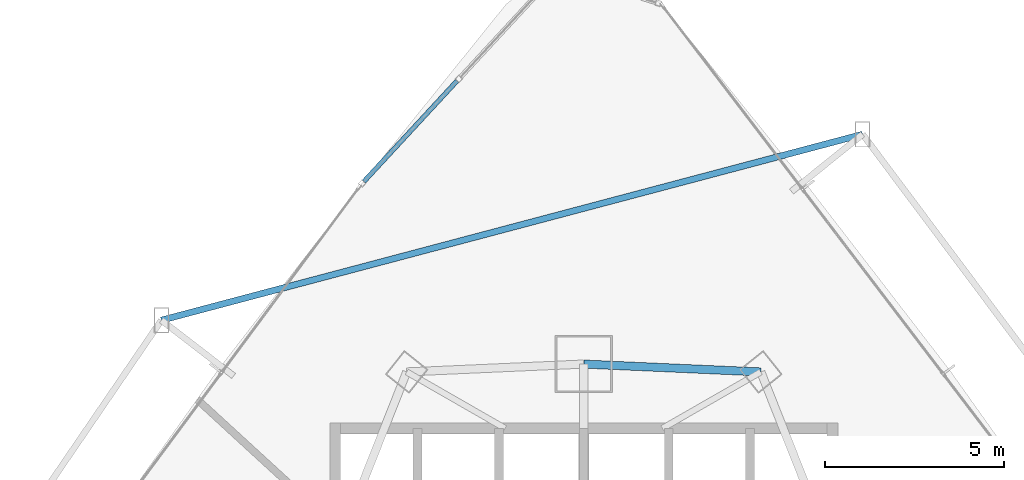
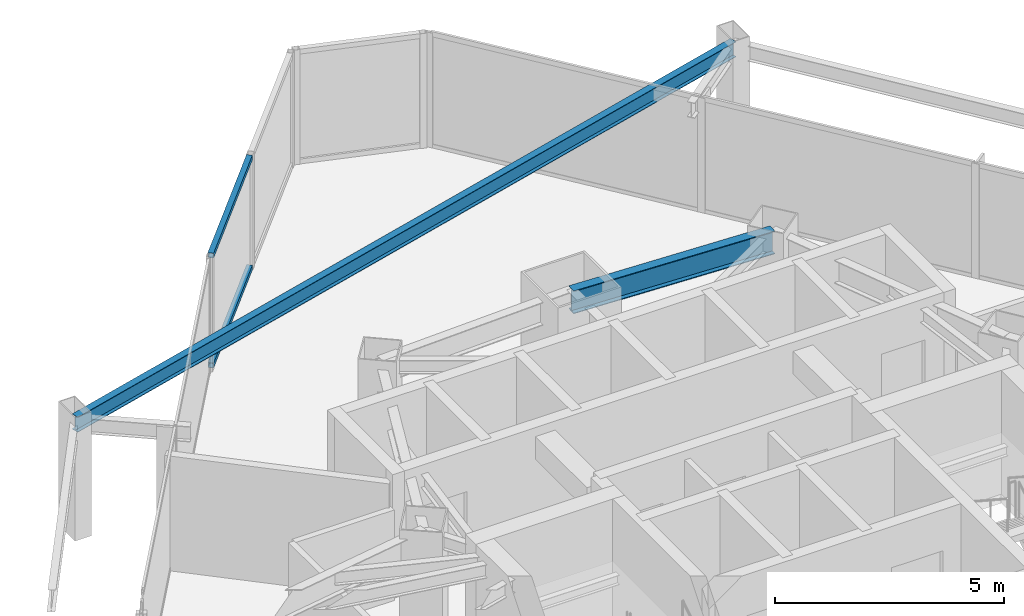
# One storey, part 24 of 35: 2 beams, 2 members, 1 element without a shape of its own.
"""IFC4 building model written with IfcOpenShell, lengths in metres."""

import ifcopenshell
import ifcopenshell.guid

model = None  # the IFC model being written
_history = None  # IfcOwnerHistory: only IFC2X3 demands one
_inside = {}  # id of a spatial element -> (the spatial element, [elements in it])
_under = {}  # id of a project, library or spatial element -> (it, [spatial elements below it])
_declared = {}  # id of a project -> (the project, [libraries it declares])
_typed = {}  # id of a type object -> (the type object, [elements of that type])
_made_of = {}  # id of a material, layer set ... -> (it, [elements and type objects made of it])


def new_model(schema):
    """Start an empty IFC model of exactly this schema.

    Asked for "IFC4X3", IfcOpenShell would pick the latest addendum, in which some entities
    have other attributes; the version numbers below select the first issue.
    IFC2X3 requires an IfcOwnerHistory on every rooted entity: one is made here for all.
    """
    global model, _history
    if schema == "IFC4X3":
        model = ifcopenshell.file(schema_version=(4, 3, 0, 0))
    else:
        model = ifcopenshell.file(schema=schema)
    _inside.clear()
    _under.clear()
    _declared.clear()
    _typed.clear()
    _made_of.clear()
    _history = None
    if model.schema == "IFC2X3":
        org = make("IfcOrganization", Name="unknown")
        user = make(
            "IfcPersonAndOrganization",
            ThePerson=make("IfcPerson", FamilyName="unknown"),
            TheOrganization=org,
        )
        app = make(
            "IfcApplication",
            ApplicationDeveloper=org,
            Version="unknown",
            ApplicationFullName="unknown",
            ApplicationIdentifier="unknown",
        )
        _history = make(
            "IfcOwnerHistory",
            OwningUser=user,
            OwningApplication=app,
            ChangeAction="ADDED",
            CreationDate=0,
        )
    return model


def make(cls, **values):
    """One entity of the class cls with the attributes given. An attribute that is None is left unset."""
    return model.create_entity(
        cls, **{name: value for name, value in values.items() if value is not None}
    )


def rooted(cls, **values):
    """An entity with a GlobalId (a new one), such as an element, a storey or a relation."""
    return make(cls, GlobalId=ifcopenshell.guid.new(), OwnerHistory=_history, **values)


def si_unit(unit_type, name, prefix=None):
    """IfcSIUnit, for example si_unit("LENGTHUNIT", "METRE", prefix="MILLI")."""
    return make("IfcSIUnit", UnitType=unit_type, Prefix=prefix, Name=name)


def assignment(units):
    """IfcUnitAssignment: the units of a project."""
    return None if units is None else make("IfcUnitAssignment", Units=units)


def point(xyz):
    """IfcCartesianPoint."""
    return None if xyz is None else make("IfcCartesianPoint", Coordinates=xyz)


def direction(xyz):
    """IfcDirection."""
    return None if xyz is None else make("IfcDirection", DirectionRatios=xyz)


def frame(location, z_axis=None, x_axis=None):
    """IfcAxis2Placement3D, a coordinate frame: its origin and axes. An axis left out is left unset."""
    return make(
        "IfcAxis2Placement3D",
        Location=point(location),
        Axis=direction(z_axis),
        RefDirection=direction(x_axis),
    )


def frame_2d(location, x_axis=None):
    """IfcAxis2Placement2D, a coordinate frame in the plane: its origin and x axis."""
    return make(
        "IfcAxis2Placement2D", Location=point(location), RefDirection=direction(x_axis)
    )


def origin():
    """The frame at (0, 0, 0) with its axes left unset."""
    return frame((0.0, 0.0, 0.0))


def origin_2d():
    """The frame at (0, 0) in the plane with its x axis left unset."""
    return frame_2d((0.0, 0.0))


def place(relative_to, where):
    """IfcLocalPlacement: puts the frame where relative to a parent placement (None: the world)."""
    return make(
        "IfcLocalPlacement", PlacementRelTo=relative_to, RelativePlacement=where
    )


def context(
    kind, dimensions, precision=None, world=None, true_north=None, identifier=None
):
    """IfcGeometricRepresentationContext, for example the 3D "Model" context."""
    return make(
        "IfcGeometricRepresentationContext",
        ContextIdentifier=identifier,
        ContextType=kind,
        CoordinateSpaceDimension=dimensions,
        Precision=precision,
        WorldCoordinateSystem=world,
        TrueNorth=true_north,
    )


def subcontext(parent, identifier, kind, view, scale=None):
    """IfcGeometricRepresentationSubContext, for example "Body" below "Model"."""
    return make(
        "IfcGeometricRepresentationSubContext",
        ContextIdentifier=identifier,
        ContextType=kind,
        ParentContext=parent,
        TargetScale=scale,
        TargetView=view,
    )


def project(units=None, contexts=None):
    """IfcProject with its units and contexts."""
    return rooted(
        "IfcProject",
        Name="project",
        RepresentationContexts=contexts,
        UnitsInContext=assignment(units),
    )


def spatial(cls, under=None, at=None, **own):
    """A site, building, storey or space (cls), placed at a placement, below another one or the project."""
    s = rooted(cls, ObjectPlacement=at, **own)
    if under is not None:
        _under.setdefault(under.id(), (under, []))[1].append(s)
    return s


def profile(cls, at=None, kind="AREA", **sizes):
    """A parametric profile (cls). Its sizes go by their IFC names, for example OverallWidth=200.0."""
    return make(cls, ProfileType=kind, Position=at, **sizes)


def hollow_rectangle(**sizes):
    """IfcRectangleHollowProfileDef."""
    return profile("IfcRectangleHollowProfileDef", **sizes)


def i_section(**sizes):
    """IfcIShapeProfileDef."""
    return profile("IfcIShapeProfileDef", **sizes)


def extrude(swept, where, along, depth):
    """IfcExtrudedAreaSolid: the profile swept, set in the frame where, extruded along a direction by depth."""
    return make(
        "IfcExtrudedAreaSolid",
        SweptArea=swept,
        Position=where,
        ExtrudedDirection=direction(along),
        Depth=depth,
    )


def shape(context_of_items, identifier, shape_type, items):
    """IfcShapeRepresentation: the items that make up one representation, for example the "Body"."""
    return make(
        "IfcShapeRepresentation",
        ContextOfItems=context_of_items,
        RepresentationIdentifier=identifier,
        RepresentationType=shape_type,
        Items=items,
    )


def material(Name=None, Category=None):
    """IfcMaterial."""
    return make("IfcMaterial", Name=Name, Category=Category)


def layer(
    of_material, thickness, ventilated=None, Name=None, Category=None, Priority=None
):
    """IfcMaterialLayer: one layer of a wall or slab, of a material (None: an air gap)."""
    return make(
        "IfcMaterialLayer",
        Material=of_material,
        LayerThickness=thickness,
        IsVentilated=ventilated,
        Name=Name,
        Category=Category,
        Priority=Priority,
    )


def layer_set(layers, Name=None):
    """IfcMaterialLayerSet."""
    return make("IfcMaterialLayerSet", MaterialLayers=layers, LayerSetName=Name)


def material_profile(
    of_material, cross_section, Name=None, Category=None, Priority=None
):
    """IfcMaterialProfile: a cross section and its material."""
    return make(
        "IfcMaterialProfile",
        Name=Name,
        Material=of_material,
        Profile=cross_section,
        Priority=Priority,
        Category=Category,
    )


def profile_set(profiles, Name=None, composite=None):
    """IfcMaterialProfileSet."""
    return make(
        "IfcMaterialProfileSet",
        Name=Name,
        MaterialProfiles=profiles,
        CompositeProfile=composite,
    )


def made_of(thing, what):
    """Note that an element or type object is made of a material, layer set ...; save() writes the relation."""
    if what is not None:
        _made_of.setdefault(what.id(), (what, []))[1].append(thing)
    return thing


def type_object(cls, material=None, **own):
    """A type object (cls), such as IfcWallType, which elements share."""
    return made_of(rooted(cls, **own), material)


def element(
    cls,
    number,
    at=None,
    inside=None,
    cuts=None,
    type_object=None,
    material=None,
    context=None,
    identifier="Body",
    shape_type=None,
    held_by="IfcProductDefinitionShape",
    body=None,
    shapes=None,
    **own,
):
    """One element of the class cls, such as IfcWall. Its Tag is "e" and its number.

    at: its placement. inside: the storey or other place that contains it. cuts: it is an
    opening in that element (IfcRelVoidsElement). A single representation is given by context,
    identifier, shape_type and body (its items); several are given by shapes. held_by: the class
    of the entity that holds the representations. save() writes the other relations.
    """
    e = rooted(cls, Tag="e%d" % number, ObjectPlacement=at, **own)
    if body is not None:
        shapes = [shape(context, identifier, shape_type, body)]
    if shapes is not None:
        e.Representation = make(held_by, Representations=shapes)
    if inside is not None:
        _inside.setdefault(inside.id(), (inside, []))[1].append(e)
    if cuts is not None:
        rooted(
            "IfcRelVoidsElement", RelatingBuildingElement=cuts, RelatedOpeningElement=e
        )
    if type_object is not None:
        _typed.setdefault(type_object.id(), (type_object, []))[1].append(e)
    return made_of(e, material)


def aggregate(whole, parts):
    """IfcRelAggregates: a whole, such as a stair, and the parts it consists of."""
    return rooted("IfcRelAggregates", RelatingObject=whole, RelatedObjects=parts)


def save(model, path):
    """Write the relations noted so far, then the file.

    IfcRelAggregates (storeys below a building ...), IfcRelContainedInSpatialStructure (elements
    in a storey), IfcRelDefinesByType, IfcRelAssociatesMaterial and IfcRelDeclares: one each for
    every whole, place, type object, material and project.
    """
    for whole, parts in _under.values():
        aggregate(whole, parts)
    for where, things in _inside.values():
        rooted(
            "IfcRelContainedInSpatialStructure",
            RelatedElements=things,
            RelatingStructure=where,
        )
    for kind, things in _typed.values():
        rooted("IfcRelDefinesByType", RelatedObjects=things, RelatingType=kind)
    for what, things in _made_of.values():
        rooted("IfcRelAssociatesMaterial", RelatedObjects=things, RelatingMaterial=what)
    for by, libraries in _declared.values():
        rooted("IfcRelDeclares", RelatingContext=by, RelatedDefinitions=libraries)
    model.write(path)


model = new_model("IFC4")

# Units and contexts
model_context = context("Model", 3, precision=1e-05, world=origin(), true_north=direction((0.0, 1.0)))
body_context = subcontext(model_context, "Body", "Model", "MODEL_VIEW")
ifc_project = project(units=[si_unit("LENGTHUNIT", "METRE"), si_unit("AREAUNIT", "SQUARE_METRE"), si_unit("VOLUMEUNIT", "CUBIC_METRE"), si_unit("PLANEANGLEUNIT", "RADIAN"), si_unit("MASSUNIT", "GRAM", prefix="KILO")], contexts=[model_context])

# Site, building, storey
site_placement = place(None, origin())
site = spatial("IfcSite", under=ifc_project, at=site_placement, CompositionType="ELEMENT")
building_placement = place(site_placement, origin())
building = spatial("IfcBuilding", under=site, at=building_placement, Name="Orvanel Arch Residences", CompositionType="ELEMENT")
storey_placement = place(building_placement, frame((0.0, 0.0, 36.800048828125)))
storey = spatial("IfcBuildingStorey", under=building, at=storey_placement, Name="L09", CompositionType="ELEMENT", Elevation=36.800048828125)

# Beams
ifc_material_1 = material(Name="Structural steel AS/NZS 3679.1 Grade 300 (300 MPa)", Category="steel")
ifc_material_profile_1 = material_profile(ifc_material_1, i_section(OverallWidth=0.177978515625, OverallDepth=0.406005859375, WebThickness=0.0078125, FlangeThickness=0.0126953125, at=origin_2d()), Name="410UB59.7")
ifc_profile_set_1 = profile_set([ifc_material_profile_1], Name="Structural steel AS/NZS 3679.1 Grade 300 (300 MPa)")
beam_type_1 = type_object("IfcBeamType", Name="OB-410UB-EXT", PredefinedType="SPANDREL", material=ifc_profile_set_1)
beam_1_placement = place(storey_placement, frame((40.794921875, 47.820068359375, 2.85693359375), z_axis=(-0.966603807913, -0.25627539587, 0.0), x_axis=(0.25627539587, -0.966603807913, 0.0)))
element("IfcBeam", 1, at=beam_1_placement, inside=storey, type_object=beam_type_1, Name="L09 Outer Perimeter Floor Ring Beam 12", PredefinedType="SPANDREL", context=body_context, shape_type="SweptSolid", body=[
    extrude(i_section(OverallWidth=0.177978515625, OverallDepth=0.406005859375, WebThickness=0.0078125, FlangeThickness=0.0126953125, at=origin_2d()), origin(), (0.0, 0.0, 1.0), 20.279052734375),
])
ifc_material_profile_2 = material_profile(ifc_material_1, i_section(OverallWidth=0.22900390625, OverallDepth=0.612060546875, WebThickness=0.011962890625, FlangeThickness=0.01953125, at=origin_2d()), Name="610UB125")
ifc_profile_set_2 = profile_set([ifc_material_profile_2], Name="Structural steel AS/NZS 3679.1 Grade 300 (300 MPa)")
beam_type_2 = type_object("IfcBeamType", Name="SP-610UB", PredefinedType="SPANDREL", material=ifc_profile_set_2)
beam_2_placement = place(storey_placement, frame((37.949951171875, 41.177978515625, 2.75390625), z_axis=(-0.999014049296, 0.044395149614, 0.0), x_axis=(-0.044395149614, -0.999014049296, 0.0)))
element("IfcBeam", 2, at=beam_2_placement, inside=storey, type_object=beam_type_2, Name="L09 Perimeter Spandrel Beam 16", PredefinedType="SPANDREL", context=body_context, shape_type="SweptSolid", body=[
    extrude(i_section(OverallWidth=0.22900390625, OverallDepth=0.612060546875, WebThickness=0.011962890625, FlangeThickness=0.01953125, at=origin_2d()), origin(), (0.0, 0.0, 1.0), 4.954833984375),
])

# Curtain wall, members
ifc_material_2 = material(Name="Bronze-anodised aluminium AA6063-T6", Category="aluminium")
ifc_layer = layer(ifc_material_2, 0.18994140625)
ifc_layer_set = layer_set([ifc_layer], Name="Bronze-anodised aluminium AA6063-T6")
curtain_wall_type = type_object("IfcCurtainWallType", Name="CW5-CRN-SYS", PredefinedType="NOTDEFINED", material=ifc_layer_set)
curtain_wall_placement = place(storey_placement, origin())
curtain_wall = element("IfcCurtainWall", 3, at=curtain_wall_placement, inside=storey, type_object=curtain_wall_type, Name="L09 CW5-CRN-SYS Unitised Curtain Wall", PredefinedType="NOTDEFINED")
ifc_material_profile_3 = material_profile(ifc_material_2, hollow_rectangle(XDim=0.1298828125, YDim=0.1298828125, WallThickness=0.00439453125, at=origin_2d()), Name="ALU130x130x4.5")
ifc_profile_set_3 = profile_set([ifc_material_profile_3], Name="Bronze-anodised aluminium AA6063-T6")
member_type = type_object("IfcMemberType", Name="TRN-130x130", PredefinedType="USERDEFINED", material=ifc_profile_set_3)
member_1_placement = place(storey_placement, frame((29.45654296875, 49.31298828125, 0.06494140625), z_axis=(-0.679137285382, -0.734011272123, 0.0), x_axis=(0.734011272123, -0.679137285382, 0.0)))
member_1 = element("IfcMember", 4, at=member_1_placement, type_object=member_type, Name="CW-S5 transom 2.1", ObjectType="TRANSOM", PredefinedType="USERDEFINED", context=body_context, shape_type="SweptSolid", body=[
    extrude(hollow_rectangle(XDim=0.1298828125, YDim=0.1298828125, WallThickness=0.00439453125, at=origin_2d()), origin(), (0.0, 0.0, 1.0), 3.83056640625),
])
member_2_placement = place(storey_placement, frame((29.45654296875, 49.31298828125, 2.994873046875), z_axis=(-0.679137285382, -0.734011272123, 0.0), x_axis=(0.734011272123, -0.679137285382, 0.0)))
member_2 = element("IfcMember", 5, at=member_2_placement, type_object=member_type, Name="CW-S5 transom 2.2", ObjectType="TRANSOM", PredefinedType="USERDEFINED", context=body_context, shape_type="SweptSolid", body=[
    extrude(hollow_rectangle(XDim=0.1298828125, YDim=0.1298828125, WallThickness=0.00439453125, at=origin_2d()), origin(), (0.0, 0.0, 1.0), 3.83056640625),
])
aggregate(curtain_wall, [member_1, member_2])

save(model, "model.ifc")
